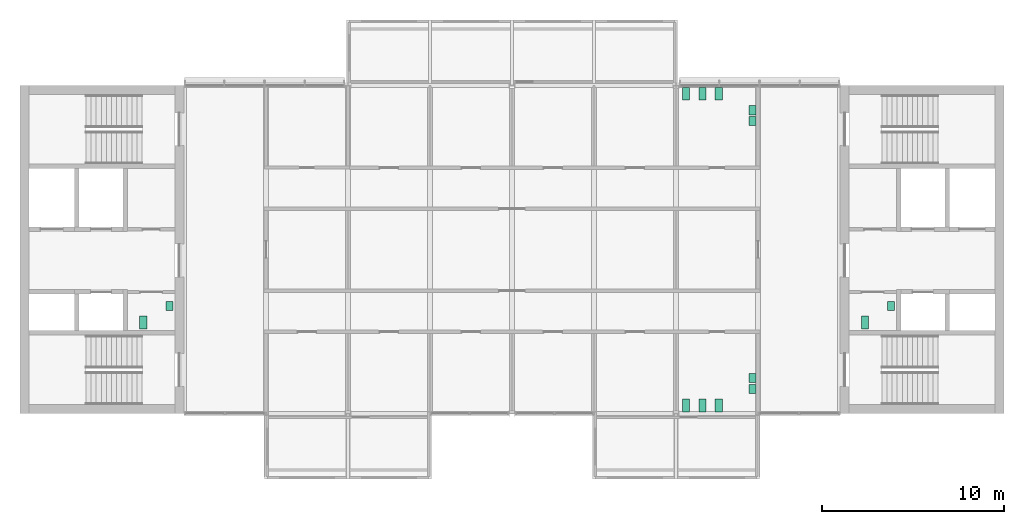
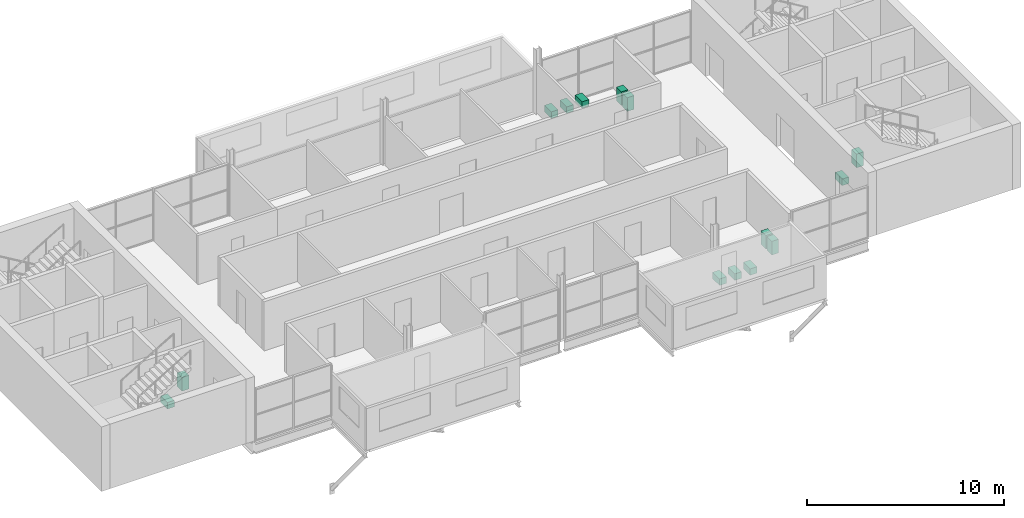
# One storey, part 12 of 12: 14 sanitary terminals.
"""IFC4 building model written with IfcOpenShell, lengths in metres."""

from ifc_helpers import new_model, si_unit, direction, frame, origin, origin_2d, place, context, subcontext, project, spatial, rectangle, extrude, element, save


model = new_model("IFC4")

# Units and contexts
model_context = context("Model", 3, precision=1e-05, world=origin(), true_north=direction((0.0, 1.0)))
body_context = subcontext(model_context, "Body", "Model", "MODEL_VIEW")
ifc_project = project(units=[si_unit("LENGTHUNIT", "METRE"), si_unit("AREAUNIT", "SQUARE_METRE"), si_unit("VOLUMEUNIT", "CUBIC_METRE"), si_unit("PLANEANGLEUNIT", "RADIAN"), si_unit("MASSUNIT", "GRAM", prefix="KILO")], contexts=[model_context])

# Site, building, storey
site_placement = place(None, origin())
site = spatial("IfcSite", under=ifc_project, at=site_placement, CompositionType="ELEMENT")
building_placement = place(site_placement, origin())
building = spatial("IfcBuilding", under=site, at=building_placement, Name="Corbel Yard City Hall", CompositionType="ELEMENT")
storey_placement = place(building_placement, frame((0.0, 0.0, 55.199951171875)))
storey = spatial("IfcBuildingStorey", under=building, at=storey_placement, Name="L13", CompositionType="ELEMENT", Elevation=55.199951171875)

# Sanitary terminals
sanitary_terminal_1_placement = place(storey_placement, frame((46.36669921875, 104.0, 0.0), z_axis=(0.0, 0.0, 1.0), x_axis=(1.0, 0.0, 0.0)))
element("IfcSanitaryTerminal", 1, at=sanitary_terminal_1_placement, inside=storey, Name="Water closet", PredefinedType="TOILETPAN", context=body_context, shape_type="SweptSolid", body=[
    extrude(rectangle(XDim=0.39990234375, YDim=0.699951171875, at=origin_2d()), origin(), (0.0, 0.0, 1.0), 0.39990234375),
])
sanitary_terminal_2_placement = place(storey_placement, frame((47.800048828125, 104.89990234375, 0.0), z_axis=(0.0, 0.0, 1.0), x_axis=(1.0, 0.0, 0.0)))
element("IfcSanitaryTerminal", 2, at=sanitary_terminal_2_placement, inside=storey, Name="Wash basin", PredefinedType="WASHHANDBASIN", context=body_context, shape_type="SweptSolid", body=[
    extrude(rectangle(XDim=0.39990234375, YDim=0.5, at=origin_2d()), origin(), (0.0, 0.0, 1.0), 0.85009765625),
])
sanitary_terminal_3_placement = place(storey_placement, frame((6.7666015625, 104.0, 0.0), z_axis=(0.0, 0.0, 1.0), x_axis=(1.0, 0.0, 0.0)))
element("IfcSanitaryTerminal", 3, at=sanitary_terminal_3_placement, inside=storey, Name="Water closet", PredefinedType="TOILETPAN", context=body_context, shape_type="SweptSolid", body=[
    extrude(rectangle(XDim=0.39990234375, YDim=0.699951171875, at=origin_2d()), origin(), (0.0, 0.0, 1.0), 0.39990234375),
])
sanitary_terminal_4_placement = place(storey_placement, frame((8.199951171875, 104.89990234375, 0.0), z_axis=(0.0, 0.0, 1.0), x_axis=(1.0, 0.0, 0.0)))
element("IfcSanitaryTerminal", 4, at=sanitary_terminal_4_placement, inside=storey, Name="Wash basin", PredefinedType="WASHHANDBASIN", context=body_context, shape_type="SweptSolid", body=[
    extrude(rectangle(XDim=0.39990234375, YDim=0.5, at=origin_2d()), origin(), (0.0, 0.0, 1.0), 0.85009765625),
])
for number, where, z_axis, x_axis, name in (
    (5, (36.550048828125, 99.449951171875, 0.0), (0.0, 0.0, 1.0), (1.0, 0.0, 0.0), "Water closet"),
    (6, (37.449951171875, 99.449951171875, 0.0), (0.0, 0.0, 1.0), (1.0, 0.0, 0.0), "Water closet"),
    (7, (38.35009765625, 99.449951171875, 0.0), (0.0, 0.0, 1.0), (1.0, 0.0, 0.0), "Water closet"),
):
    element("IfcSanitaryTerminal", number, at=place(storey_placement, frame(where, z_axis=z_axis, x_axis=x_axis)), inside=storey, Name=name, PredefinedType="TOILETPAN", context=body_context, shape_type="SweptSolid", body=[
        extrude(rectangle(XDim=0.39990234375, YDim=0.699951171875, at=origin_2d()), origin(), (0.0, 0.0, 1.0), 0.39990234375),
    ])
for number, where, z_axis, x_axis, name in (
    (8, (40.199951171875, 100.35009765625, 0.0), (0.0, 0.0, 1.0), (1.0, 0.0, 0.0), "Wash basin"),
    (9, (40.199951171875, 100.949951171875, 0.0), (0.0, 0.0, 1.0), (1.0, 0.0, 0.0), "Wash basin"),
):
    element("IfcSanitaryTerminal", number, at=place(storey_placement, frame(where, z_axis=z_axis, x_axis=x_axis)), inside=storey, Name=name, PredefinedType="WASHHANDBASIN", context=body_context, shape_type="SweptSolid", body=[
        extrude(rectangle(XDim=0.39990234375, YDim=0.5, at=origin_2d()), origin(), (0.0, 0.0, 1.0), 0.85009765625),
    ])
for number, where, z_axis, x_axis, name in (
    (10, (36.550048828125, 116.550048828125, 0.0), (0.0, 0.0, 1.0), (1.0, 0.0, 0.0), "Water closet"),
    (11, (37.449951171875, 116.550048828125, 0.0), (0.0, 0.0, 1.0), (1.0, 0.0, 0.0), "Water closet"),
    (12, (38.35009765625, 116.550048828125, 0.0), (0.0, 0.0, 1.0), (1.0, 0.0, 0.0), "Water closet"),
):
    element("IfcSanitaryTerminal", number, at=place(storey_placement, frame(where, z_axis=z_axis, x_axis=x_axis)), inside=storey, Name=name, PredefinedType="TOILETPAN", context=body_context, shape_type="SweptSolid", body=[
        extrude(rectangle(XDim=0.39990234375, YDim=0.699951171875, at=origin_2d()), origin(), (0.0, 0.0, 1.0), 0.39990234375),
    ])
for number, where, z_axis, x_axis, name in (
    (13, (40.199951171875, 115.64990234375, 0.0), (0.0, 0.0, 1.0), (1.0, 0.0, 0.0), "Wash basin"),
    (14, (40.199951171875, 115.050048828125, 0.0), (0.0, 0.0, 1.0), (1.0, 0.0, 0.0), "Wash basin"),
):
    element("IfcSanitaryTerminal", number, at=place(storey_placement, frame(where, z_axis=z_axis, x_axis=x_axis)), inside=storey, Name=name, PredefinedType="WASHHANDBASIN", context=body_context, shape_type="SweptSolid", body=[
        extrude(rectangle(XDim=0.39990234375, YDim=0.5, at=origin_2d()), origin(), (0.0, 0.0, 1.0), 0.85009765625),
    ])

save(model, "model.ifc")
